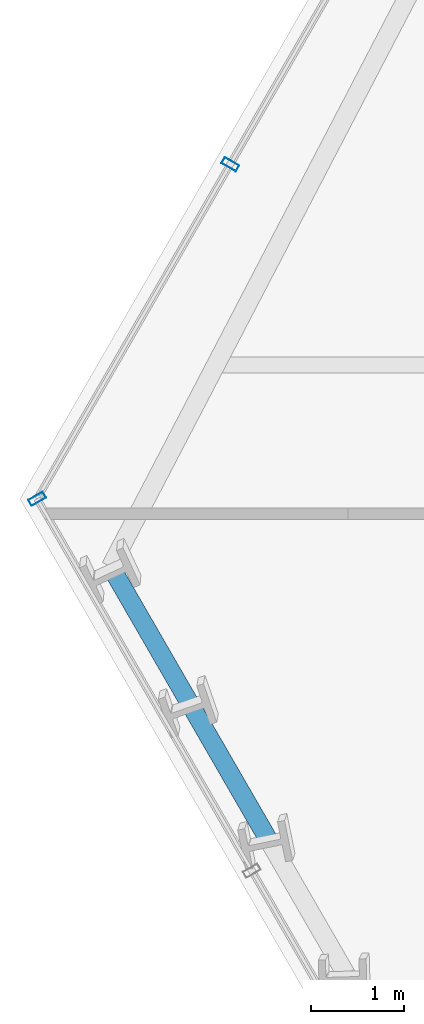
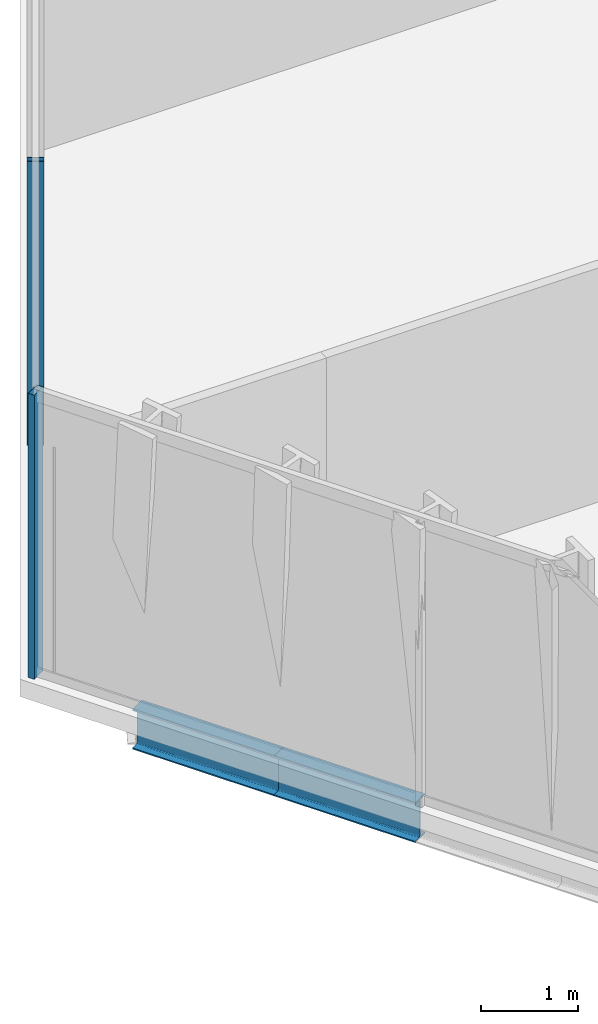
# One storey, part 5 of 32: 2 beams, 2 members, 2 elements without a shape of their own.
"""IFC4 building model written with IfcOpenShell, lengths in metres."""

from ifc_helpers import new_model, si_unit, direction, frame, origin, origin_2d, place, context, subcontext, project, spatial, hollow_rectangle, i_section, extrude, material, layer, layer_set, material_profile, profile_set, type_object, element, aggregate, save


model = new_model("IFC4")

# Units and contexts
model_context = context("Model", 3, precision=1e-05, world=origin(), true_north=direction((0.0, 1.0)))
body_context = subcontext(model_context, "Body", "Model", "MODEL_VIEW")
ifc_project = project(units=[si_unit("LENGTHUNIT", "METRE"), si_unit("AREAUNIT", "SQUARE_METRE"), si_unit("VOLUMEUNIT", "CUBIC_METRE"), si_unit("PLANEANGLEUNIT", "RADIAN"), si_unit("MASSUNIT", "GRAM", prefix="KILO")], contexts=[model_context])

# Site, building, storey
site_placement = place(None, origin())
site = spatial("IfcSite", under=ifc_project, at=site_placement, CompositionType="ELEMENT")
building_placement = place(site_placement, origin())
building = spatial("IfcBuilding", under=site, at=building_placement, Name="Ndaravel Arena Tower", CompositionType="ELEMENT")
storey_placement = place(building_placement, frame((0.0, 0.0, 96.800048828125)))
storey = spatial("IfcBuildingStorey", under=building, at=storey_placement, Name="L22", CompositionType="ELEMENT", Elevation=96.800048828125)

# Beams
ifc_material_1 = material(Name="Steel S355", Category="steel")
ifc_material_profile_1 = material_profile(ifc_material_1, i_section(OverallWidth=0.199951171875, OverallDepth=0.5, WebThickness=0.01025390625, FlangeThickness=0.01611328125, FilletRadius=0.02099609375, at=origin_2d()), Name="IPE 500")
ifc_profile_set_1 = profile_set([ifc_material_profile_1], Name="Steel S355")
beam_type = type_object("IfcBeamType", Name="BM-SPAN-IPE500", PredefinedType="SPANDREL", material=ifc_profile_set_1)
beam_1_placement = place(storey_placement, frame((19.25, 16.4306640625, -0.469970703125), z_axis=(0.500048373822, -0.865997473344, 0.0), x_axis=(0.865997473344, 0.500048373822, 0.0)))
element("IfcBeam", 1, at=beam_1_placement, inside=storey, type_object=beam_type, Name="L22 Perimeter Spandrel Beam SP-20", PredefinedType="SPANDREL", context=body_context, shape_type="SweptSolid", body=[
    extrude(i_section(OverallWidth=0.199951171875, OverallDepth=0.5, WebThickness=0.01025390625, FlangeThickness=0.01611328125, FilletRadius=0.02099609375, at=origin_2d()), origin(), (0.0, 0.0, 1.0), 1.685791015625),
])
beam_2_placement = place(storey_placement, frame((20.093017578125, 14.970703125, -0.469970703125), z_axis=(0.499985669323, -0.866033677446, 0.0), x_axis=(0.866033677446, 0.499985669323, 0.0)))
element("IfcBeam", 2, at=beam_2_placement, inside=storey, type_object=beam_type, Name="L22 Perimeter Spandrel Beam SP-21", PredefinedType="SPANDREL", context=body_context, shape_type="SweptSolid", body=[
    extrude(i_section(OverallWidth=0.199951171875, OverallDepth=0.5, WebThickness=0.01025390625, FlangeThickness=0.01611328125, FilletRadius=0.02099609375, at=origin_2d()), origin(), (0.0, 0.0, 1.0), 1.68603515625),
])

# Curtain wall, member
ifc_material_2 = material(Name="Aluminium", Category="aluminium")
ifc_layer_1 = layer(ifc_material_2, 0.179931640625)
ifc_layer_set_1 = layer_set([ifc_layer_1], Name="Aluminium")
curtain_wall_type_1 = type_object("IfcCurtainWallType", Name="CW-SYS-03", PredefinedType="NOTDEFINED", material=ifc_layer_set_1)
curtain_wall_1_placement = place(storey_placement, origin())
curtain_wall_1 = element("IfcCurtainWall", 3, at=curtain_wall_1_placement, inside=storey, type_object=curtain_wall_type_1, Name="L22 Faceted Crystal Curtain Wall CW-L22-E05", PredefinedType="NOTDEFINED")
ifc_material_3 = material(Name="Aluminium", Category="aluminium")
ifc_material_profile_2 = material_profile(ifc_material_3, hollow_rectangle(XDim=0.074951171875, YDim=0.179931640625, WallThickness=0.00390625, at=origin_2d()), Name="CW MULLION 75x180x4")
ifc_profile_set_2 = profile_set([ifc_material_profile_2], Name="Aluminium")
member_type = type_object("IfcMemberType", Name="MEM-CW-MUL180", PredefinedType="MULLION", material=ifc_profile_set_2)
member_1_placement = place(storey_placement, frame((20.53564453125, 20.75732421875, 0.0), z_axis=(0.0, 0.0, 1.0), x_axis=(-0.5, -0.866025403784, 0.0)))
member_1 = element("IfcMember", 4, at=member_1_placement, type_object=member_type, Name="CW-L22-E05 Mullion 07", PredefinedType="MULLION", context=body_context, shape_type="SweptSolid", body=[
    extrude(hollow_rectangle(XDim=0.074951171875, YDim=0.179931640625, WallThickness=0.00390625, at=origin_2d()), origin(), (0.0, 0.0, 1.0), 3.579833984375),
])
aggregate(curtain_wall_1, [member_1])

ifc_material_4 = material(Name="Aluminium", Category="aluminium")
ifc_layer_2 = layer(ifc_material_4, 0.179931640625)
ifc_layer_set_2 = layer_set([ifc_layer_2], Name="Aluminium")
curtain_wall_type_2 = type_object("IfcCurtainWallType", Name="CW-SYS-02", PredefinedType="NOTDEFINED", material=ifc_layer_set_2)
curtain_wall_2_placement = place(storey_placement, origin())
curtain_wall_2 = element("IfcCurtainWall", 5, at=curtain_wall_2_placement, inside=storey, type_object=curtain_wall_type_2, Name="L22 Faceted Crystal Curtain Wall CW-L22-E06", PredefinedType="NOTDEFINED")
member_2_placement = place(storey_placement, frame((18.458984375, 17.16064453125, 0.0), z_axis=(0.0, 0.0, 1.0), x_axis=(0.5, -0.866025403784, 0.0)))
member_2 = element("IfcMember", 6, at=member_2_placement, type_object=member_type, Name="CW-L22-E06 Mullion 00", PredefinedType="MULLION", context=body_context, shape_type="SweptSolid", body=[
    extrude(hollow_rectangle(XDim=0.074951171875, YDim=0.179931640625, WallThickness=0.00390625, at=origin_2d()), origin(), (0.0, 0.0, 1.0), 3.579833984375),
])
aggregate(curtain_wall_2, [member_2])

save(model, "model.ifc")
